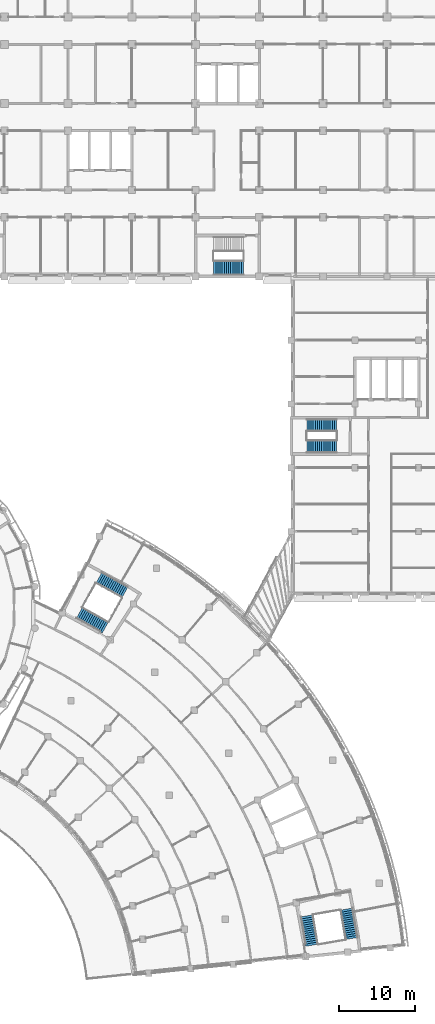
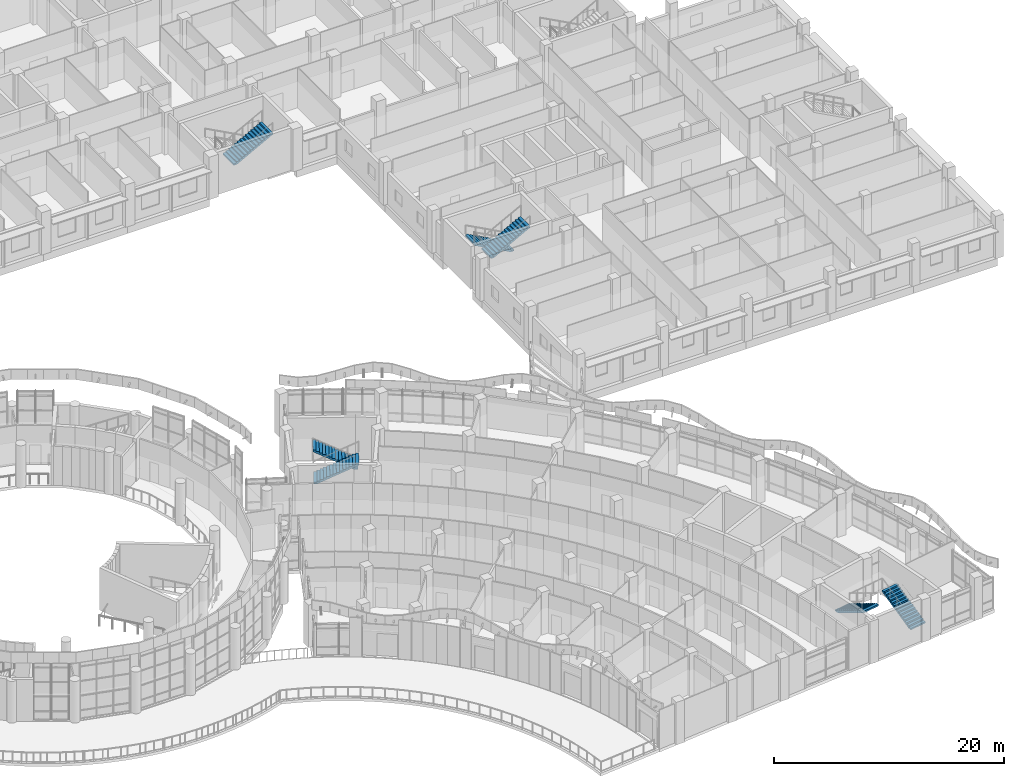
# One storey, part 95 of 136: 7 stair flights, 4 elements without a shape of their own.
"""IFC4 building model written with IfcOpenShell, lengths in metres."""

from ifc_helpers import new_model, si_unit, direction, frame, origin, place, context, subcontext, project, spatial, polyline, outline, extrude, material, type_object, element, aggregate, save


model = new_model("IFC4")

# Units and contexts
model_context = context("Model", 3, precision=1e-05, world=origin(), true_north=direction((0.0, 1.0)))
body_context = subcontext(model_context, "Body", "Model", "MODEL_VIEW")
ifc_project = project(units=[si_unit("LENGTHUNIT", "METRE"), si_unit("AREAUNIT", "SQUARE_METRE"), si_unit("VOLUMEUNIT", "CUBIC_METRE"), si_unit("PLANEANGLEUNIT", "RADIAN"), si_unit("MASSUNIT", "GRAM", prefix="KILO")], contexts=[model_context])

# Site, building, storey
site_placement = place(None, origin())
site = spatial("IfcSite", under=ifc_project, at=site_placement, CompositionType="ELEMENT")
building_placement = place(site_placement, origin())
building = spatial("IfcBuilding", under=site, at=building_placement, Name="Bougainvillea Quay General Hospital", CompositionType="ELEMENT")
storey_placement = place(building_placement, frame((0.0, 0.0, 5.39990234375)))
storey = spatial("IfcBuildingStorey", under=building, at=storey_placement, Name="L01", CompositionType="ELEMENT", Elevation=5.39990234375)

# Stair, stair flights
ifc_material = material(Name="Concrete C35", Category="concrete")
stair_type_1 = type_object("IfcStairType", Name="Stair half-turn 1650 wide", PredefinedType="HALF_TURN_STAIR", material=ifc_material)
stair_1_placement = place(storey_placement, origin())
stair_1 = element("IfcStair", 1, at=stair_1_placement, inside=storey, type_object=stair_type_1, Name="L01 stair ST-T1", PredefinedType="HALF_TURN_STAIR")
stair_flight_type_1 = type_object("IfcStairFlightType", Name="Stair flight 1650", PredefinedType="STRAIGHT", material=ifc_material)
stair_flight_1_placement = place(storey_placement, frame((169.77490234375, 98.0, 0.0), z_axis=(0.0, 0.0, 1.0), x_axis=(-1.0, 0.0, 0.0)))
stair_flight_1 = element("IfcStairFlight", 2, at=stair_flight_1_placement, type_object=stair_flight_type_1, Name="ST-T1 flight 1", NumberOfRisers=15, NumberOfTreads=14, PredefinedType="STRAIGHT", RiserHeight=0.15, TreadLength=0.28, context=body_context, shape_type="SweptSolid", body=[
    extrude(outline(polyline([(-0.0029296875, 0.0), (-0.0029296875, 0.003662109375), (-0.0029296875, 0.00732421875), (-0.0029296875, 0.010986328125), (-0.0029296875, 0.0146484375), (-0.0029296875, 0.018310546875), (-0.0029296875, 0.02197265625), (-0.0029296875, 0.025634765625), (-0.0029296875, 0.029296875), (-0.0029296875, 0.032958984375), (-0.0029296875, 0.03662109375), (-0.0029296875, 0.040283203125), (-0.0029296875, 0.0439453125), (-0.0029296875, 0.047607421875), (-0.0029296875, 0.05126953125), (-0.0029296875, 0.054931640625), (-0.0029296875, 0.05859375), (-0.0029296875, 0.062255859375), (-0.0029296875, 0.06591796875), (-0.0029296875, 0.069580078125), (-0.0029296875, 0.0732421875), (-0.0029296875, 0.076904296875), (-0.0029296875, 0.08056640625), (-0.0029296875, 0.084228515625), (-0.0029296875, 0.087890625), (-0.0029296875, 0.091552734375), (-0.0029296875, 0.09521484375), (-0.0029296875, 0.098876953125), (-0.0029296875, 0.1025390625), (-0.0029296875, 0.106201171875), (-0.0029296875, 0.10986328125), (-0.0029296875, 0.113525390625), (-0.0029296875, 0.1171875), (-0.0029296875, 0.120849609375), (-0.0029296875, 0.12451171875), (-0.0029296875, 0.1279296875), (-0.0029296875, 0.131591796875), (-0.0029296875, 0.13525390625), (-0.0029296875, 0.138916015625), (-0.0029296875, 0.142578125), (-0.0029296875, 0.146240234375), (-0.0029296875, 0.14990234375), (0.280029296875, 0.14990234375), (0.280029296875, 0.300048828125), (0.56005859375, 0.300048828125), (0.56005859375, 0.449951171875), (0.840087890625, 0.449951171875), (0.840087890625, 0.60009765625), (1.1201171875, 0.60009765625), (1.1201171875, 0.75), (1.39990234375, 0.75), (1.39990234375, 0.89990234375), (1.679931640625, 0.89990234375), (1.679931640625, 1.050048828125), (1.9599609375, 1.050048828125), (1.9599609375, 1.199951171875), (2.239990234375, 1.199951171875), (2.239990234375, 1.35009765625), (2.52001953125, 1.35009765625), (2.52001953125, 1.5), (2.800048828125, 1.5), (2.800048828125, 1.64990234375), (3.080078125, 1.64990234375), (3.080078125, 1.800048828125), (3.360107421875, 1.800048828125), (3.360107421875, 1.949951171875), (3.639892578125, 1.949951171875), (3.639892578125, 2.10009765625), (3.923095703125, 2.10009765625), (3.923095703125, 2.095947265625), (3.923095703125, 2.091796875), (3.923095703125, 2.087646484375), (3.923095703125, 2.08349609375), (3.923095703125, 2.079345703125), (3.923095703125, 2.0751953125), (3.923095703125, 2.071044921875), (3.923095703125, 2.06689453125), (3.923095703125, 2.062744140625), (3.923095703125, 2.05859375), (3.923095703125, 2.054443359375), (3.923095703125, 2.05029296875), (3.923095703125, 2.046142578125), (3.923095703125, 2.0419921875), (3.923095703125, 2.037841796875), (3.923095703125, 2.03369140625), (3.923095703125, 2.029541015625), (3.923095703125, 2.025390625), (3.923095703125, 2.021240234375), (3.923095703125, 2.01708984375), (3.923095703125, 2.012939453125), (3.923095703125, 2.0087890625), (3.923095703125, 2.004638671875), (3.923095703125, 2.00048828125), (3.923095703125, 1.996337890625), (3.923095703125, 1.9921875), (3.923095703125, 1.988037109375), (3.923095703125, 1.98388671875), (3.923095703125, 1.979736328125), (3.923095703125, 1.9755859375), (3.923095703125, 1.971435546875), (3.923095703125, 1.96728515625), (3.923095703125, 1.963134765625), (3.923095703125, 1.958984375), (3.923095703125, 1.954833984375), (3.923095703125, 1.95068359375), (3.923095703125, 1.946533203125), (3.923095703125, 1.9423828125), (3.923095703125, 1.938232421875), (3.923095703125, 1.93408203125), (3.923095703125, 1.929931640625), (0.3173828125, 0.0), (-0.0029296875, 0.0)])), frame((0.0, 0.824951171875, 0.0), z_axis=(0.0, -1.0, 0.0), x_axis=(1.0, 0.0, 0.0)), (0.0, 0.0, 1.0), 1.64990234375),
])
stair_flight_2_placement = place(storey_placement, frame((165.85498046875, 95.199951171875, 2.25), z_axis=(0.0, 0.0, 1.0), x_axis=(1.0, 0.0, 0.0)))
stair_flight_2 = element("IfcStairFlight", 3, at=stair_flight_2_placement, type_object=stair_flight_type_1, Name="ST-T1 flight 2", NumberOfRisers=15, NumberOfTreads=14, PredefinedType="STRAIGHT", RiserHeight=0.15, TreadLength=0.28, context=body_context, shape_type="SweptSolid", body=[
    extrude(outline(polyline([(-0.0029296875, 0.0), (-0.0029296875, 0.003662109375), (-0.0029296875, 0.00732421875), (-0.0029296875, 0.010986328125), (-0.0029296875, 0.0146484375), (-0.0029296875, 0.018310546875), (-0.0029296875, 0.02197265625), (-0.0029296875, 0.025634765625), (-0.0029296875, 0.029296875), (-0.0029296875, 0.032958984375), (-0.0029296875, 0.03662109375), (-0.0029296875, 0.040283203125), (-0.0029296875, 0.0439453125), (-0.0029296875, 0.047607421875), (-0.0029296875, 0.05126953125), (-0.0029296875, 0.054931640625), (-0.0029296875, 0.05859375), (-0.0029296875, 0.062255859375), (-0.0029296875, 0.06591796875), (-0.0029296875, 0.069580078125), (-0.0029296875, 0.0732421875), (-0.0029296875, 0.076904296875), (-0.0029296875, 0.08056640625), (-0.0029296875, 0.084228515625), (-0.0029296875, 0.087890625), (-0.0029296875, 0.091552734375), (-0.0029296875, 0.09521484375), (-0.0029296875, 0.098876953125), (-0.0029296875, 0.1025390625), (-0.0029296875, 0.106201171875), (-0.0029296875, 0.10986328125), (-0.0029296875, 0.113525390625), (-0.0029296875, 0.1171875), (-0.0029296875, 0.120849609375), (-0.0029296875, 0.12451171875), (-0.0029296875, 0.1279296875), (-0.0029296875, 0.131591796875), (-0.0029296875, 0.13525390625), (-0.0029296875, 0.138916015625), (-0.0029296875, 0.142578125), (-0.0029296875, 0.146240234375), (-0.0029296875, 0.14990234375), (0.280029296875, 0.14990234375), (0.280029296875, 0.300048828125), (0.56005859375, 0.300048828125), (0.56005859375, 0.449951171875), (0.840087890625, 0.449951171875), (0.840087890625, 0.60009765625), (1.1201171875, 0.60009765625), (1.1201171875, 0.75), (1.39990234375, 0.75), (1.39990234375, 0.89990234375), (1.679931640625, 0.89990234375), (1.679931640625, 1.050048828125), (1.9599609375, 1.050048828125), (1.9599609375, 1.199951171875), (2.239990234375, 1.199951171875), (2.239990234375, 1.35009765625), (2.52001953125, 1.35009765625), (2.52001953125, 1.5), (2.800048828125, 1.5), (2.800048828125, 1.64990234375), (3.080078125, 1.64990234375), (3.080078125, 1.800048828125), (3.360107421875, 1.800048828125), (3.360107421875, 1.949951171875), (3.639892578125, 1.949951171875), (3.639892578125, 2.10009765625), (3.923095703125, 2.10009765625), (3.923095703125, 2.095947265625), (3.923095703125, 2.091796875), (3.923095703125, 2.087646484375), (3.923095703125, 2.08349609375), (3.923095703125, 2.079345703125), (3.923095703125, 2.0751953125), (3.923095703125, 2.071044921875), (3.923095703125, 2.06689453125), (3.923095703125, 2.062744140625), (3.923095703125, 2.05859375), (3.923095703125, 2.054443359375), (3.923095703125, 2.05029296875), (3.923095703125, 2.046142578125), (3.923095703125, 2.0419921875), (3.923095703125, 2.037841796875), (3.923095703125, 2.03369140625), (3.923095703125, 2.029541015625), (3.923095703125, 2.025390625), (3.923095703125, 2.021240234375), (3.923095703125, 2.01708984375), (3.923095703125, 2.012939453125), (3.923095703125, 2.0087890625), (3.923095703125, 2.004638671875), (3.923095703125, 2.00048828125), (3.923095703125, 1.996337890625), (3.923095703125, 1.9921875), (3.923095703125, 1.988037109375), (3.923095703125, 1.98388671875), (3.923095703125, 1.979736328125), (3.923095703125, 1.9755859375), (3.923095703125, 1.971435546875), (3.923095703125, 1.96728515625), (3.923095703125, 1.963134765625), (3.923095703125, 1.958984375), (3.923095703125, 1.954833984375), (3.923095703125, 1.95068359375), (3.923095703125, 1.946533203125), (3.923095703125, 1.9423828125), (3.923095703125, 1.938232421875), (3.923095703125, 1.93408203125), (3.923095703125, 1.929931640625), (0.3173828125, 0.0), (-0.0029296875, 0.0)])), frame((0.0, 0.824951171875, 0.0), z_axis=(0.0, -1.0, 0.0), x_axis=(1.0, 0.0, 0.0)), (0.0, 0.0, 1.0), 1.64990234375),
])
aggregate(stair_1, [stair_flight_1, stair_flight_2])

stair_2_placement = place(storey_placement, origin())
stair_2 = element("IfcStair", 4, at=stair_2_placement, inside=storey, type_object=stair_type_1, Name="L01 stair ST-E1", PredefinedType="HALF_TURN_STAIR")
stair_flight_3_placement = place(storey_placement, frame((141.89208984375, 75.99267578125, 0.0), z_axis=(0.0, 0.0, 1.0), x_axis=(-0.873300754664, 0.487181477382, 0.0)))
stair_flight_3 = element("IfcStairFlight", 5, at=stair_flight_3_placement, type_object=stair_flight_type_1, Name="ST-E1 flight 1", NumberOfRisers=15, NumberOfTreads=14, PredefinedType="STRAIGHT", RiserHeight=0.15, TreadLength=0.28, context=body_context, shape_type="SweptSolid", body=[
    extrude(outline(polyline([(-0.0029296875, 0.0), (-0.0029296875, 0.003662109375), (-0.0029296875, 0.00732421875), (-0.0029296875, 0.010986328125), (-0.0029296875, 0.0146484375), (-0.0029296875, 0.018310546875), (-0.0029296875, 0.02197265625), (-0.0029296875, 0.025634765625), (-0.0029296875, 0.029296875), (-0.0029296875, 0.032958984375), (-0.0029296875, 0.03662109375), (-0.0029296875, 0.040283203125), (-0.0029296875, 0.0439453125), (-0.0029296875, 0.047607421875), (-0.0029296875, 0.05126953125), (-0.0029296875, 0.054931640625), (-0.0029296875, 0.05859375), (-0.0029296875, 0.062255859375), (-0.0029296875, 0.06591796875), (-0.0029296875, 0.069580078125), (-0.0029296875, 0.0732421875), (-0.0029296875, 0.076904296875), (-0.0029296875, 0.08056640625), (-0.0029296875, 0.084228515625), (-0.0029296875, 0.087890625), (-0.0029296875, 0.091552734375), (-0.0029296875, 0.09521484375), (-0.0029296875, 0.098876953125), (-0.0029296875, 0.1025390625), (-0.0029296875, 0.106201171875), (-0.0029296875, 0.10986328125), (-0.0029296875, 0.113525390625), (-0.0029296875, 0.1171875), (-0.0029296875, 0.120849609375), (-0.0029296875, 0.12451171875), (-0.0029296875, 0.1279296875), (-0.0029296875, 0.131591796875), (-0.0029296875, 0.13525390625), (-0.0029296875, 0.138916015625), (-0.0029296875, 0.142578125), (-0.0029296875, 0.146240234375), (-0.0029296875, 0.14990234375), (0.280029296875, 0.14990234375), (0.280029296875, 0.300048828125), (0.56005859375, 0.300048828125), (0.56005859375, 0.449951171875), (0.840087890625, 0.449951171875), (0.840087890625, 0.60009765625), (1.1201171875, 0.60009765625), (1.1201171875, 0.75), (1.39990234375, 0.75), (1.39990234375, 0.89990234375), (1.679931640625, 0.89990234375), (1.679931640625, 1.050048828125), (1.9599609375, 1.050048828125), (1.9599609375, 1.199951171875), (2.239990234375, 1.199951171875), (2.239990234375, 1.35009765625), (2.52001953125, 1.35009765625), (2.52001953125, 1.5), (2.800048828125, 1.5), (2.800048828125, 1.64990234375), (3.080078125, 1.64990234375), (3.080078125, 1.800048828125), (3.360107421875, 1.800048828125), (3.360107421875, 1.949951171875), (3.639892578125, 1.949951171875), (3.639892578125, 2.10009765625), (3.923095703125, 2.10009765625), (3.923095703125, 2.095947265625), (3.923095703125, 2.091796875), (3.923095703125, 2.087646484375), (3.923095703125, 2.08349609375), (3.923095703125, 2.079345703125), (3.923095703125, 2.0751953125), (3.923095703125, 2.071044921875), (3.923095703125, 2.06689453125), (3.923095703125, 2.062744140625), (3.923095703125, 2.05859375), (3.923095703125, 2.054443359375), (3.923095703125, 2.05029296875), (3.923095703125, 2.046142578125), (3.923095703125, 2.0419921875), (3.923095703125, 2.037841796875), (3.923095703125, 2.03369140625), (3.923095703125, 2.029541015625), (3.923095703125, 2.025390625), (3.923095703125, 2.021240234375), (3.923095703125, 2.01708984375), (3.923095703125, 2.012939453125), (3.923095703125, 2.0087890625), (3.923095703125, 2.004638671875), (3.923095703125, 2.00048828125), (3.923095703125, 1.996337890625), (3.923095703125, 1.9921875), (3.923095703125, 1.988037109375), (3.923095703125, 1.98388671875), (3.923095703125, 1.979736328125), (3.923095703125, 1.9755859375), (3.923095703125, 1.971435546875), (3.923095703125, 1.96728515625), (3.923095703125, 1.963134765625), (3.923095703125, 1.958984375), (3.923095703125, 1.954833984375), (3.923095703125, 1.95068359375), (3.923095703125, 1.946533203125), (3.923095703125, 1.9423828125), (3.923095703125, 1.938232421875), (3.923095703125, 1.93408203125), (3.923095703125, 1.929931640625), (0.3173828125, 0.0), (-0.0029296875, 0.0)])), frame((0.0, 0.824951171875, 0.0), z_axis=(0.0, -1.0, 0.0), x_axis=(1.0, 0.0, 0.0)), (0.0, 0.0, 1.0), 1.64990234375),
])
stair_flight_4_placement = place(storey_placement, frame((135.883056640625, 73.267578125, 2.25), z_axis=(0.0, 0.0, 1.0), x_axis=(0.873300754664, -0.487181477382, 0.0)))
stair_flight_4 = element("IfcStairFlight", 6, at=stair_flight_4_placement, type_object=stair_flight_type_1, Name="ST-E1 flight 2", NumberOfRisers=15, NumberOfTreads=14, PredefinedType="STRAIGHT", RiserHeight=0.15, TreadLength=0.28, context=body_context, shape_type="SweptSolid", body=[
    extrude(outline(polyline([(-0.0029296875, 0.0), (-0.0029296875, 0.003662109375), (-0.0029296875, 0.00732421875), (-0.0029296875, 0.010986328125), (-0.0029296875, 0.0146484375), (-0.0029296875, 0.018310546875), (-0.0029296875, 0.02197265625), (-0.0029296875, 0.025634765625), (-0.0029296875, 0.029296875), (-0.0029296875, 0.032958984375), (-0.0029296875, 0.03662109375), (-0.0029296875, 0.040283203125), (-0.0029296875, 0.0439453125), (-0.0029296875, 0.047607421875), (-0.0029296875, 0.05126953125), (-0.0029296875, 0.054931640625), (-0.0029296875, 0.05859375), (-0.0029296875, 0.062255859375), (-0.0029296875, 0.06591796875), (-0.0029296875, 0.069580078125), (-0.0029296875, 0.0732421875), (-0.0029296875, 0.076904296875), (-0.0029296875, 0.08056640625), (-0.0029296875, 0.084228515625), (-0.0029296875, 0.087890625), (-0.0029296875, 0.091552734375), (-0.0029296875, 0.09521484375), (-0.0029296875, 0.098876953125), (-0.0029296875, 0.1025390625), (-0.0029296875, 0.106201171875), (-0.0029296875, 0.10986328125), (-0.0029296875, 0.113525390625), (-0.0029296875, 0.1171875), (-0.0029296875, 0.120849609375), (-0.0029296875, 0.12451171875), (-0.0029296875, 0.1279296875), (-0.0029296875, 0.131591796875), (-0.0029296875, 0.13525390625), (-0.0029296875, 0.138916015625), (-0.0029296875, 0.142578125), (-0.0029296875, 0.146240234375), (-0.0029296875, 0.14990234375), (0.280029296875, 0.14990234375), (0.280029296875, 0.300048828125), (0.56005859375, 0.300048828125), (0.56005859375, 0.449951171875), (0.840087890625, 0.449951171875), (0.840087890625, 0.60009765625), (1.1201171875, 0.60009765625), (1.1201171875, 0.75), (1.39990234375, 0.75), (1.39990234375, 0.89990234375), (1.679931640625, 0.89990234375), (1.679931640625, 1.050048828125), (1.9599609375, 1.050048828125), (1.9599609375, 1.199951171875), (2.239990234375, 1.199951171875), (2.239990234375, 1.35009765625), (2.52001953125, 1.35009765625), (2.52001953125, 1.5), (2.800048828125, 1.5), (2.800048828125, 1.64990234375), (3.080078125, 1.64990234375), (3.080078125, 1.800048828125), (3.360107421875, 1.800048828125), (3.360107421875, 1.949951171875), (3.639892578125, 1.949951171875), (3.639892578125, 2.10009765625), (3.923095703125, 2.10009765625), (3.923095703125, 2.095947265625), (3.923095703125, 2.091796875), (3.923095703125, 2.087646484375), (3.923095703125, 2.08349609375), (3.923095703125, 2.079345703125), (3.923095703125, 2.0751953125), (3.923095703125, 2.071044921875), (3.923095703125, 2.06689453125), (3.923095703125, 2.062744140625), (3.923095703125, 2.05859375), (3.923095703125, 2.054443359375), (3.923095703125, 2.05029296875), (3.923095703125, 2.046142578125), (3.923095703125, 2.0419921875), (3.923095703125, 2.037841796875), (3.923095703125, 2.03369140625), (3.923095703125, 2.029541015625), (3.923095703125, 2.025390625), (3.923095703125, 2.021240234375), (3.923095703125, 2.01708984375), (3.923095703125, 2.012939453125), (3.923095703125, 2.0087890625), (3.923095703125, 2.004638671875), (3.923095703125, 2.00048828125), (3.923095703125, 1.996337890625), (3.923095703125, 1.9921875), (3.923095703125, 1.988037109375), (3.923095703125, 1.98388671875), (3.923095703125, 1.979736328125), (3.923095703125, 1.9755859375), (3.923095703125, 1.971435546875), (3.923095703125, 1.96728515625), (3.923095703125, 1.963134765625), (3.923095703125, 1.958984375), (3.923095703125, 1.954833984375), (3.923095703125, 1.95068359375), (3.923095703125, 1.946533203125), (3.923095703125, 1.9423828125), (3.923095703125, 1.938232421875), (3.923095703125, 1.93408203125), (3.923095703125, 1.929931640625), (0.3173828125, 0.0), (-0.0029296875, 0.0)])), frame((0.0, 0.824951171875, 0.0), z_axis=(0.0, -1.0, 0.0), x_axis=(1.0, 0.0, 0.0)), (0.0, 0.0, 1.0), 1.64990234375),
])
aggregate(stair_2, [stair_flight_3, stair_flight_4])

stair_3_placement = place(storey_placement, origin())
stair_3 = element("IfcStair", 7, at=stair_3_placement, inside=storey, type_object=stair_type_1, Name="L01 stair ST-E2", PredefinedType="HALF_TURN_STAIR")
stair_flight_5_placement = place(storey_placement, frame((171.761474609375, 30.370849609375, 0.0), z_axis=(0.0, 0.0, 1.0), x_axis=(-0.167737267749, 0.985831734632, 0.0)))
stair_flight_5 = element("IfcStairFlight", 8, at=stair_flight_5_placement, type_object=stair_flight_type_1, Name="ST-E2 flight 1", NumberOfRisers=15, NumberOfTreads=14, PredefinedType="STRAIGHT", RiserHeight=0.15, TreadLength=0.28, context=body_context, shape_type="SweptSolid", body=[
    extrude(outline(polyline([(-0.0029296875, 0.0), (-0.0029296875, 0.003662109375), (-0.0029296875, 0.00732421875), (-0.0029296875, 0.010986328125), (-0.0029296875, 0.0146484375), (-0.0029296875, 0.018310546875), (-0.0029296875, 0.02197265625), (-0.0029296875, 0.025634765625), (-0.0029296875, 0.029296875), (-0.0029296875, 0.032958984375), (-0.0029296875, 0.03662109375), (-0.0029296875, 0.040283203125), (-0.0029296875, 0.0439453125), (-0.0029296875, 0.047607421875), (-0.0029296875, 0.05126953125), (-0.0029296875, 0.054931640625), (-0.0029296875, 0.05859375), (-0.0029296875, 0.062255859375), (-0.0029296875, 0.06591796875), (-0.0029296875, 0.069580078125), (-0.0029296875, 0.0732421875), (-0.0029296875, 0.076904296875), (-0.0029296875, 0.08056640625), (-0.0029296875, 0.084228515625), (-0.0029296875, 0.087890625), (-0.0029296875, 0.091552734375), (-0.0029296875, 0.09521484375), (-0.0029296875, 0.098876953125), (-0.0029296875, 0.1025390625), (-0.0029296875, 0.106201171875), (-0.0029296875, 0.10986328125), (-0.0029296875, 0.113525390625), (-0.0029296875, 0.1171875), (-0.0029296875, 0.120849609375), (-0.0029296875, 0.12451171875), (-0.0029296875, 0.1279296875), (-0.0029296875, 0.131591796875), (-0.0029296875, 0.13525390625), (-0.0029296875, 0.138916015625), (-0.0029296875, 0.142578125), (-0.0029296875, 0.146240234375), (-0.0029296875, 0.14990234375), (0.280029296875, 0.14990234375), (0.280029296875, 0.300048828125), (0.56005859375, 0.300048828125), (0.56005859375, 0.449951171875), (0.840087890625, 0.449951171875), (0.840087890625, 0.60009765625), (1.1201171875, 0.60009765625), (1.1201171875, 0.75), (1.39990234375, 0.75), (1.39990234375, 0.89990234375), (1.679931640625, 0.89990234375), (1.679931640625, 1.050048828125), (1.9599609375, 1.050048828125), (1.9599609375, 1.199951171875), (2.239990234375, 1.199951171875), (2.239990234375, 1.35009765625), (2.52001953125, 1.35009765625), (2.52001953125, 1.5), (2.800048828125, 1.5), (2.800048828125, 1.64990234375), (3.080078125, 1.64990234375), (3.080078125, 1.800048828125), (3.360107421875, 1.800048828125), (3.360107421875, 1.949951171875), (3.639892578125, 1.949951171875), (3.639892578125, 2.10009765625), (3.923095703125, 2.10009765625), (3.923095703125, 2.095947265625), (3.923095703125, 2.091796875), (3.923095703125, 2.087646484375), (3.923095703125, 2.08349609375), (3.923095703125, 2.079345703125), (3.923095703125, 2.0751953125), (3.923095703125, 2.071044921875), (3.923095703125, 2.06689453125), (3.923095703125, 2.062744140625), (3.923095703125, 2.05859375), (3.923095703125, 2.054443359375), (3.923095703125, 2.05029296875), (3.923095703125, 2.046142578125), (3.923095703125, 2.0419921875), (3.923095703125, 2.037841796875), (3.923095703125, 2.03369140625), (3.923095703125, 2.029541015625), (3.923095703125, 2.025390625), (3.923095703125, 2.021240234375), (3.923095703125, 2.01708984375), (3.923095703125, 2.012939453125), (3.923095703125, 2.0087890625), (3.923095703125, 2.004638671875), (3.923095703125, 2.00048828125), (3.923095703125, 1.996337890625), (3.923095703125, 1.9921875), (3.923095703125, 1.988037109375), (3.923095703125, 1.98388671875), (3.923095703125, 1.979736328125), (3.923095703125, 1.9755859375), (3.923095703125, 1.971435546875), (3.923095703125, 1.96728515625), (3.923095703125, 1.963134765625), (3.923095703125, 1.958984375), (3.923095703125, 1.954833984375), (3.923095703125, 1.95068359375), (3.923095703125, 1.946533203125), (3.923095703125, 1.9423828125), (3.923095703125, 1.938232421875), (3.923095703125, 1.93408203125), (3.923095703125, 1.929931640625), (0.3173828125, 0.0), (-0.0029296875, 0.0)])), frame((0.0, 0.824951171875, 0.0), z_axis=(0.0, -1.0, 0.0), x_axis=(1.0, 0.0, 0.0)), (0.0, 0.0, 1.0), 1.64990234375),
])
stair_flight_6_placement = place(storey_placement, frame((165.87109375, 33.344970703125, 2.25), z_axis=(0.0, 0.0, 1.0), x_axis=(0.167737267749, -0.985831734632, 0.0)))
stair_flight_6 = element("IfcStairFlight", 9, at=stair_flight_6_placement, type_object=stair_flight_type_1, Name="ST-E2 flight 2", NumberOfRisers=15, NumberOfTreads=14, PredefinedType="STRAIGHT", RiserHeight=0.15, TreadLength=0.28, context=body_context, shape_type="SweptSolid", body=[
    extrude(outline(polyline([(-0.0029296875, 0.0), (-0.0029296875, 0.003662109375), (-0.0029296875, 0.00732421875), (-0.0029296875, 0.010986328125), (-0.0029296875, 0.0146484375), (-0.0029296875, 0.018310546875), (-0.0029296875, 0.02197265625), (-0.0029296875, 0.025634765625), (-0.0029296875, 0.029296875), (-0.0029296875, 0.032958984375), (-0.0029296875, 0.03662109375), (-0.0029296875, 0.040283203125), (-0.0029296875, 0.0439453125), (-0.0029296875, 0.047607421875), (-0.0029296875, 0.05126953125), (-0.0029296875, 0.054931640625), (-0.0029296875, 0.05859375), (-0.0029296875, 0.062255859375), (-0.0029296875, 0.06591796875), (-0.0029296875, 0.069580078125), (-0.0029296875, 0.0732421875), (-0.0029296875, 0.076904296875), (-0.0029296875, 0.08056640625), (-0.0029296875, 0.084228515625), (-0.0029296875, 0.087890625), (-0.0029296875, 0.091552734375), (-0.0029296875, 0.09521484375), (-0.0029296875, 0.098876953125), (-0.0029296875, 0.1025390625), (-0.0029296875, 0.106201171875), (-0.0029296875, 0.10986328125), (-0.0029296875, 0.113525390625), (-0.0029296875, 0.1171875), (-0.0029296875, 0.120849609375), (-0.0029296875, 0.12451171875), (-0.0029296875, 0.1279296875), (-0.0029296875, 0.131591796875), (-0.0029296875, 0.13525390625), (-0.0029296875, 0.138916015625), (-0.0029296875, 0.142578125), (-0.0029296875, 0.146240234375), (-0.0029296875, 0.14990234375), (0.280029296875, 0.14990234375), (0.280029296875, 0.300048828125), (0.56005859375, 0.300048828125), (0.56005859375, 0.449951171875), (0.840087890625, 0.449951171875), (0.840087890625, 0.60009765625), (1.1201171875, 0.60009765625), (1.1201171875, 0.75), (1.39990234375, 0.75), (1.39990234375, 0.89990234375), (1.679931640625, 0.89990234375), (1.679931640625, 1.050048828125), (1.9599609375, 1.050048828125), (1.9599609375, 1.199951171875), (2.239990234375, 1.199951171875), (2.239990234375, 1.35009765625), (2.52001953125, 1.35009765625), (2.52001953125, 1.5), (2.800048828125, 1.5), (2.800048828125, 1.64990234375), (3.080078125, 1.64990234375), (3.080078125, 1.800048828125), (3.360107421875, 1.800048828125), (3.360107421875, 1.949951171875), (3.639892578125, 1.949951171875), (3.639892578125, 2.10009765625), (3.923095703125, 2.10009765625), (3.923095703125, 2.095947265625), (3.923095703125, 2.091796875), (3.923095703125, 2.087646484375), (3.923095703125, 2.08349609375), (3.923095703125, 2.079345703125), (3.923095703125, 2.0751953125), (3.923095703125, 2.071044921875), (3.923095703125, 2.06689453125), (3.923095703125, 2.062744140625), (3.923095703125, 2.05859375), (3.923095703125, 2.054443359375), (3.923095703125, 2.05029296875), (3.923095703125, 2.046142578125), (3.923095703125, 2.0419921875), (3.923095703125, 2.037841796875), (3.923095703125, 2.03369140625), (3.923095703125, 2.029541015625), (3.923095703125, 2.025390625), (3.923095703125, 2.021240234375), (3.923095703125, 2.01708984375), (3.923095703125, 2.012939453125), (3.923095703125, 2.0087890625), (3.923095703125, 2.004638671875), (3.923095703125, 2.00048828125), (3.923095703125, 1.996337890625), (3.923095703125, 1.9921875), (3.923095703125, 1.988037109375), (3.923095703125, 1.98388671875), (3.923095703125, 1.979736328125), (3.923095703125, 1.9755859375), (3.923095703125, 1.971435546875), (3.923095703125, 1.96728515625), (3.923095703125, 1.963134765625), (3.923095703125, 1.958984375), (3.923095703125, 1.954833984375), (3.923095703125, 1.95068359375), (3.923095703125, 1.946533203125), (3.923095703125, 1.9423828125), (3.923095703125, 1.938232421875), (3.923095703125, 1.93408203125), (3.923095703125, 1.929931640625), (0.3173828125, 0.0), (-0.0029296875, 0.0)])), frame((0.0, 0.824951171875, 0.0), z_axis=(0.0, -1.0, 0.0), x_axis=(1.0, 0.0, 0.0)), (0.0, 0.0, 1.0), 1.64990234375),
])
aggregate(stair_3, [stair_flight_5, stair_flight_6])

# Stair, stair flight
stair_type_2 = type_object("IfcStairType", Name="Stair half-turn 1925 wide", PredefinedType="HALF_TURN_STAIR", material=ifc_material)
stair_4_placement = place(storey_placement, origin())
stair_4 = element("IfcStair", 10, at=stair_4_placement, inside=storey, type_object=stair_type_2, Name="L01 stair ST-B4", PredefinedType="HALF_TURN_STAIR")
stair_flight_type_2 = type_object("IfcStairFlightType", Name="Stair flight 1925", PredefinedType="STRAIGHT", material=ifc_material)
stair_flight_7_placement = place(storey_placement, frame((153.580078125, 118.737548828125, 2.25), z_axis=(0.0, 0.0, 1.0), x_axis=(1.0, 0.0, 0.0)))
stair_flight_7 = element("IfcStairFlight", 11, at=stair_flight_7_placement, type_object=stair_flight_type_2, Name="ST-B4 flight 2", NumberOfRisers=15, NumberOfTreads=14, PredefinedType="STRAIGHT", RiserHeight=0.15, TreadLength=0.28, context=body_context, shape_type="SweptSolid", body=[
    extrude(outline(polyline([(-0.0029296875, 0.0), (-0.0029296875, 0.003662109375), (-0.0029296875, 0.00732421875), (-0.0029296875, 0.010986328125), (-0.0029296875, 0.0146484375), (-0.0029296875, 0.018310546875), (-0.0029296875, 0.02197265625), (-0.0029296875, 0.025634765625), (-0.0029296875, 0.029296875), (-0.0029296875, 0.032958984375), (-0.0029296875, 0.03662109375), (-0.0029296875, 0.040283203125), (-0.0029296875, 0.0439453125), (-0.0029296875, 0.047607421875), (-0.0029296875, 0.05126953125), (-0.0029296875, 0.054931640625), (-0.0029296875, 0.05859375), (-0.0029296875, 0.062255859375), (-0.0029296875, 0.06591796875), (-0.0029296875, 0.069580078125), (-0.0029296875, 0.0732421875), (-0.0029296875, 0.076904296875), (-0.0029296875, 0.08056640625), (-0.0029296875, 0.084228515625), (-0.0029296875, 0.087890625), (-0.0029296875, 0.091552734375), (-0.0029296875, 0.09521484375), (-0.0029296875, 0.098876953125), (-0.0029296875, 0.1025390625), (-0.0029296875, 0.106201171875), (-0.0029296875, 0.10986328125), (-0.0029296875, 0.113525390625), (-0.0029296875, 0.1171875), (-0.0029296875, 0.120849609375), (-0.0029296875, 0.12451171875), (-0.0029296875, 0.1279296875), (-0.0029296875, 0.131591796875), (-0.0029296875, 0.13525390625), (-0.0029296875, 0.138916015625), (-0.0029296875, 0.142578125), (-0.0029296875, 0.146240234375), (-0.0029296875, 0.14990234375), (0.280029296875, 0.14990234375), (0.280029296875, 0.300048828125), (0.56005859375, 0.300048828125), (0.56005859375, 0.449951171875), (0.840087890625, 0.449951171875), (0.840087890625, 0.60009765625), (1.1201171875, 0.60009765625), (1.1201171875, 0.75), (1.39990234375, 0.75), (1.39990234375, 0.89990234375), (1.679931640625, 0.89990234375), (1.679931640625, 1.050048828125), (1.9599609375, 1.050048828125), (1.9599609375, 1.199951171875), (2.239990234375, 1.199951171875), (2.239990234375, 1.35009765625), (2.52001953125, 1.35009765625), (2.52001953125, 1.5), (2.800048828125, 1.5), (2.800048828125, 1.64990234375), (3.080078125, 1.64990234375), (3.080078125, 1.800048828125), (3.360107421875, 1.800048828125), (3.360107421875, 1.949951171875), (3.639892578125, 1.949951171875), (3.639892578125, 2.10009765625), (3.923095703125, 2.10009765625), (3.923095703125, 2.095947265625), (3.923095703125, 2.091796875), (3.923095703125, 2.087646484375), (3.923095703125, 2.08349609375), (3.923095703125, 2.079345703125), (3.923095703125, 2.0751953125), (3.923095703125, 2.071044921875), (3.923095703125, 2.06689453125), (3.923095703125, 2.062744140625), (3.923095703125, 2.05859375), (3.923095703125, 2.054443359375), (3.923095703125, 2.05029296875), (3.923095703125, 2.046142578125), (3.923095703125, 2.0419921875), (3.923095703125, 2.037841796875), (3.923095703125, 2.03369140625), (3.923095703125, 2.029541015625), (3.923095703125, 2.025390625), (3.923095703125, 2.021240234375), (3.923095703125, 2.01708984375), (3.923095703125, 2.012939453125), (3.923095703125, 2.0087890625), (3.923095703125, 2.004638671875), (3.923095703125, 2.00048828125), (3.923095703125, 1.996337890625), (3.923095703125, 1.9921875), (3.923095703125, 1.988037109375), (3.923095703125, 1.98388671875), (3.923095703125, 1.979736328125), (3.923095703125, 1.9755859375), (3.923095703125, 1.971435546875), (3.923095703125, 1.96728515625), (3.923095703125, 1.963134765625), (3.923095703125, 1.958984375), (3.923095703125, 1.954833984375), (3.923095703125, 1.95068359375), (3.923095703125, 1.946533203125), (3.923095703125, 1.9423828125), (3.923095703125, 1.938232421875), (3.923095703125, 1.93408203125), (3.923095703125, 1.929931640625), (0.3173828125, 0.0), (-0.0029296875, 0.0)])), frame((0.0, 0.96240234375, 0.0), z_axis=(0.0, -1.0, 0.0), x_axis=(1.0, 0.0, 0.0)), (0.0, 0.0, 1.0), 1.925048828125),
])
aggregate(stair_4, [stair_flight_7])

save(model, "model.ifc")
